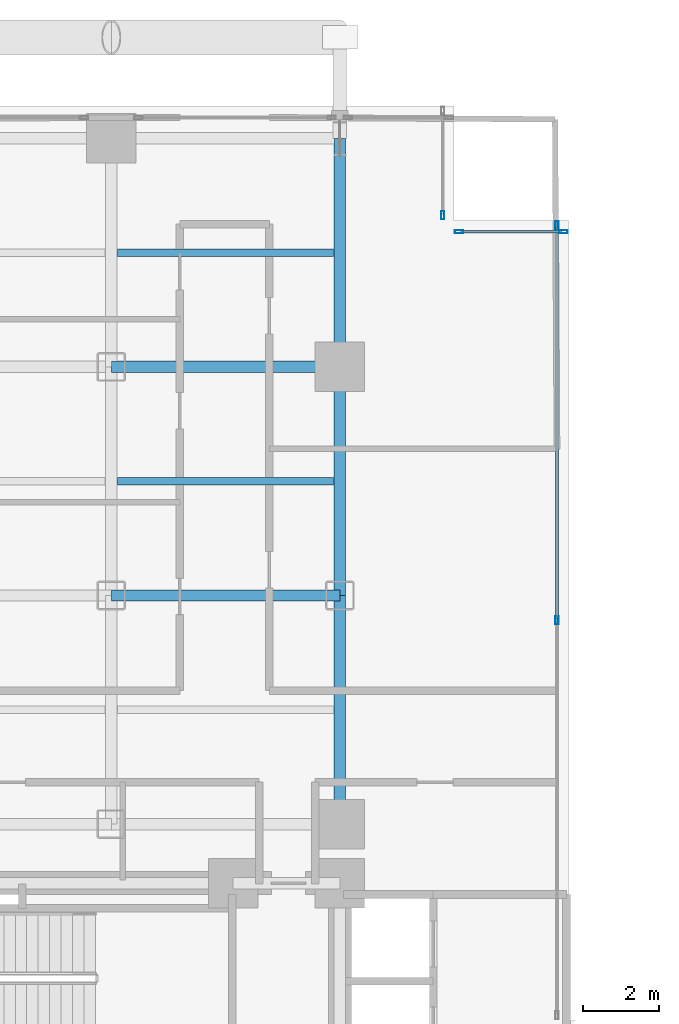
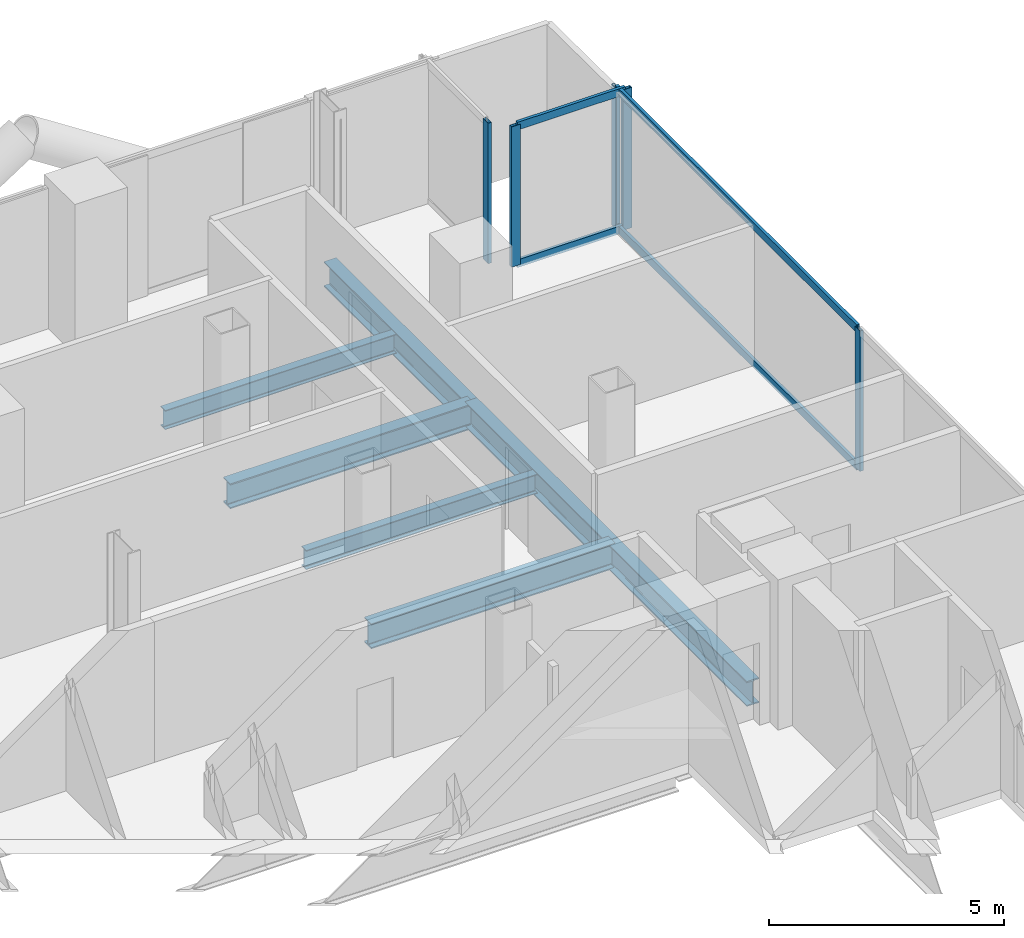
# One storey, part 15 of 27: 9 members, 7 beams, 3 elements without a shape of their own.
"""IFC4 building model written with IfcOpenShell, lengths in metres."""

from ifc_helpers import new_model, si_unit, direction, frame, origin, origin_2d, place, context, subcontext, project, spatial, hollow_rectangle, i_section, extrude, material, layer, layer_set, material_profile, profile_set, type_object, element, aggregate, save


model = new_model("IFC4")

# Units and contexts
model_context = context("Model", 3, precision=1e-05, world=origin(), true_north=direction((0.0, 1.0)))
body_context = subcontext(model_context, "Body", "Model", "MODEL_VIEW")
ifc_project = project(units=[si_unit("LENGTHUNIT", "METRE"), si_unit("AREAUNIT", "SQUARE_METRE"), si_unit("VOLUMEUNIT", "CUBIC_METRE"), si_unit("PLANEANGLEUNIT", "RADIAN"), si_unit("MASSUNIT", "GRAM", prefix="KILO"), si_unit("THERMODYNAMICTEMPERATUREUNIT", "KELVIN"), si_unit("POWERUNIT", "WATT")], contexts=[model_context])

# Site, building, storey
site_placement = place(None, origin())
site = spatial("IfcSite", under=ifc_project, at=site_placement, CompositionType="ELEMENT")
building_placement = place(site_placement, origin())
building = spatial("IfcBuilding", under=site, at=building_placement, Name="Svarakhadi Broadcast Tower", CompositionType="ELEMENT")
storey_placement = place(building_placement, frame((0.0, 0.0, 55.800048828125)))
storey = spatial("IfcBuildingStorey", under=building, at=storey_placement, Name="L12", CompositionType="ELEMENT", Elevation=55.800048828125)

# Beams
ifc_material_1 = material(Name="Steel S355J2 (IS 2062 E350C)", Category="steel")
ifc_material_profile_1 = material_profile(ifc_material_1, i_section(OverallWidth=0.199951171875, OverallDepth=0.5, WebThickness=0.01025390625, FlangeThickness=0.01611328125, FilletRadius=0.02099609375, at=origin_2d()), Name="NPB 500x200x91")
ifc_profile_set_1 = profile_set([ifc_material_profile_1], Name="Steel S355J2 (IS 2062 E350C)")
beam_type_1 = type_object("IfcBeamType", Name="Beam_NPB500", PredefinedType="BEAM", material=ifc_profile_set_1)
for number, where, z_axis, x_axis, name in (
    (1, (12.159912109375, 38.14990234375, -0.5), (1.0, 0.0, 0.0), (0.0, 1.0, 0.0), "L12 Secondary Composite Beam SB017"),
    (2, (12.159912109375, 44.14990234375, -0.5), (1.0, 0.0, 0.0), (0.0, 1.0, 0.0), "L12 Secondary Composite Beam SB018"),
):
    element("IfcBeam", number, at=place(storey_placement, frame(where, z_axis=z_axis, x_axis=x_axis)), inside=storey, type_object=beam_type_1, Name=name, PredefinedType="BEAM", context=body_context, shape_type="SweptSolid", body=[
        extrude(i_section(OverallWidth=0.199951171875, OverallDepth=0.5, WebThickness=0.01025390625, FlangeThickness=0.01611328125, FilletRadius=0.02099609375, at=origin_2d()), origin(), (0.0, 0.0, 1.0), 5.68017578125),
    ])

# Curtain wall, member
ifc_material_2 = material(Name="Anodised Bronze Aluminium AA 6063-T6", Category="aluminium")
ifc_layer = layer(ifc_material_2, 0.219970703125)
ifc_layer_set = layer_set([ifc_layer], Name="Anodised Bronze Aluminium AA 6063-T6")
curtain_wall_type = type_object("IfcCurtainWallType", Name="CW_Sys_02", PredefinedType="NOTDEFINED", material=ifc_layer_set)
curtain_wall_1_placement = place(storey_placement, origin())
curtain_wall_1 = element("IfcCurtainWall", 3, at=curtain_wall_1_placement, inside=storey, type_object=curtain_wall_type, Name="L12 Unitised Facade Curtain Wall 07", PredefinedType="NOTDEFINED")
ifc_material_profile_2 = material_profile(ifc_material_2, hollow_rectangle(XDim=0.0849609375, YDim=0.219970703125, WallThickness=0.006103515625, at=origin_2d()), Name="ALU MULLION 220x85x6")
ifc_profile_set_2 = profile_set([ifc_material_profile_2], Name="Anodised Bronze Aluminium AA 6063-T6")
member_type_1 = type_object("IfcMemberType", Name="CW_Sys_02_Mul", PredefinedType="MULLION", material=ifc_profile_set_2)
member_1_placement = place(storey_placement, frame((20.699951171875, 45.132568359375, 0.0), z_axis=(0.0, 0.0, 1.0), x_axis=(1.0, 0.0, 0.0)))
member_1 = element("IfcMember", 4, at=member_1_placement, type_object=member_type_1, Name="CW-02 mullion 2", PredefinedType="MULLION", context=body_context, shape_type="SweptSolid", body=[
    extrude(hollow_rectangle(XDim=0.0849609375, YDim=0.219970703125, WallThickness=0.006103515625, at=origin_2d()), origin(), (0.0, 0.0, 1.0), 3.64990234375),
])
aggregate(curtain_wall_1, [member_1])

# Curtain wall, members
curtain_wall_2_placement = place(storey_placement, origin())
curtain_wall_2 = element("IfcCurtainWall", 5, at=curtain_wall_2_placement, inside=storey, type_object=curtain_wall_type, Name="L12 Unitised Facade Curtain Wall 08", PredefinedType="NOTDEFINED")
member_2_placement = place(storey_placement, frame((21.132568359375, 44.699951171875, 0.0), z_axis=(0.0, 0.0, 1.0), x_axis=(0.0, 1.0, 0.0)))
member_2 = element("IfcMember", 6, at=member_2_placement, type_object=member_type_1, Name="CW-02 mullion 1", PredefinedType="MULLION", context=body_context, shape_type="SweptSolid", body=[
    extrude(hollow_rectangle(XDim=0.0849609375, YDim=0.219970703125, WallThickness=0.006103515625, at=origin_2d()), origin(), (0.0, 0.0, 1.0), 3.64990234375),
])
member_3_placement = place(storey_placement, frame((23.867431640625, 44.699951171875, 0.0), z_axis=(0.0, 0.0, 1.0), x_axis=(0.0, 1.0, 0.0)))
member_3 = element("IfcMember", 7, at=member_3_placement, type_object=member_type_1, Name="CW-02 mullion 2", PredefinedType="MULLION", context=body_context, shape_type="SweptSolid", body=[
    extrude(hollow_rectangle(XDim=0.0849609375, YDim=0.219970703125, WallThickness=0.006103515625, at=origin_2d()), origin(), (0.0, 0.0, 1.0), 3.64990234375),
])

curtain_wall_3_placement = place(storey_placement, origin())
curtain_wall_3 = element("IfcCurtainWall", 8, at=curtain_wall_3_placement, inside=storey, type_object=curtain_wall_type, Name="L12 Unitised Facade Curtain Wall 09", PredefinedType="NOTDEFINED")
member_4_placement = place(storey_placement, frame((23.699951171875, 44.867431640625, 0.0), z_axis=(0.0, 0.0, 1.0), x_axis=(1.0, 0.0, 0.0)))
member_4 = element("IfcMember", 9, at=member_4_placement, type_object=member_type_1, Name="CW-02 mullion 1", PredefinedType="MULLION", context=body_context, shape_type="SweptSolid", body=[
    extrude(hollow_rectangle(XDim=0.0849609375, YDim=0.219970703125, WallThickness=0.006103515625, at=origin_2d()), origin(), (0.0, 0.0, 1.0), 3.64990234375),
])
member_5_placement = place(storey_placement, frame((23.699951171875, 34.5, 0.0), z_axis=(0.0, 0.0, 1.0), x_axis=(1.0, 0.0, 0.0)))
member_5 = element("IfcMember", 10, at=member_5_placement, type_object=member_type_1, Name="CW-02 mullion 2", PredefinedType="MULLION", context=body_context, shape_type="SweptSolid", body=[
    extrude(hollow_rectangle(XDim=0.0849609375, YDim=0.219970703125, WallThickness=0.006103515625, at=origin_2d()), origin(), (0.0, 0.0, 1.0), 3.64990234375),
])

# Member
ifc_material_profile_3 = material_profile(ifc_material_2, hollow_rectangle(XDim=0.074951171875, YDim=0.199951171875, WallThickness=0.0048828125, at=origin_2d()), Name="ALU TRANSOM 200x75x5")
ifc_profile_set_3 = profile_set([ifc_material_profile_3], Name="Anodised Bronze Aluminium AA 6063-T6")
member_type_2 = type_object("IfcMemberType", Name="CW_Sys_02_Trn", PredefinedType="USERDEFINED", material=ifc_profile_set_3)
member_6_placement = place(storey_placement, frame((21.175048828125, 44.699951171875, 0.037353515625), z_axis=(1.0, 0.0, 0.0), x_axis=(0.0, 1.0, 0.0)))
member_6 = element("IfcMember", 11, at=member_6_placement, type_object=member_type_2, Name="CW-02 transom 1.1", ObjectType="TRANSOM", PredefinedType="USERDEFINED", context=body_context, shape_type="SweptSolid", body=[
    extrude(hollow_rectangle(XDim=0.074951171875, YDim=0.199951171875, WallThickness=0.0048828125, at=origin_2d()), origin(), (0.0, 0.0, 1.0), 2.64990234375),
])

member_7_placement = place(storey_placement, frame((21.175048828125, 44.699951171875, 3.612548828125), z_axis=(1.0, 0.0, 0.0), x_axis=(0.0, 1.0, 0.0)))
member_7 = element("IfcMember", 12, at=member_7_placement, type_object=member_type_2, Name="CW-02 transom 1.2", ObjectType="TRANSOM", PredefinedType="USERDEFINED", context=body_context, shape_type="SweptSolid", body=[
    extrude(hollow_rectangle(XDim=0.074951171875, YDim=0.199951171875, WallThickness=0.0048828125, at=origin_2d()), origin(), (0.0, 0.0, 1.0), 2.64990234375),
])

aggregate(curtain_wall_2, [member_2, member_3, member_6, member_7])

member_8_placement = place(storey_placement, frame((23.699951171875, 44.824951171875, 0.037353515625), z_axis=(0.0, -1.0, 0.0), x_axis=(1.0, 0.0, 0.0)))
member_8 = element("IfcMember", 13, at=member_8_placement, type_object=member_type_2, Name="CW-02 transom 1.1", ObjectType="TRANSOM", PredefinedType="USERDEFINED", context=body_context, shape_type="SweptSolid", body=[
    extrude(hollow_rectangle(XDim=0.074951171875, YDim=0.199951171875, WallThickness=0.0048828125, at=origin_2d()), origin(), (0.0, 0.0, 1.0), 10.282470703125),
])

member_9_placement = place(storey_placement, frame((23.699951171875, 44.824951171875, 3.612548828125), z_axis=(0.0, -1.0, 0.0), x_axis=(1.0, 0.0, 0.0)))
member_9 = element("IfcMember", 14, at=member_9_placement, type_object=member_type_2, Name="CW-02 transom 1.2", ObjectType="TRANSOM", PredefinedType="USERDEFINED", context=body_context, shape_type="SweptSolid", body=[
    extrude(hollow_rectangle(XDim=0.074951171875, YDim=0.199951171875, WallThickness=0.0048828125, at=origin_2d()), origin(), (0.0, 0.0, 1.0), 10.282470703125),
])

aggregate(curtain_wall_3, [member_4, member_5, member_8, member_9])

# Beams
ifc_material_profile_4 = material_profile(ifc_material_1, i_section(OverallWidth=0.300048828125, OverallDepth=0.64990234375, WebThickness=0.01611328125, FlangeThickness=0.031005859375, FilletRadius=0.027099609375, at=origin_2d()), Name="WPB 650x300x225")
ifc_profile_set_4 = profile_set([ifc_material_profile_4], Name="Steel S355J2 (IS 2062 E350C)")
beam_type_2 = type_object("IfcBeamType", Name="Girder_WPB650", PredefinedType="USERDEFINED", material=ifc_profile_set_4)
for number, where, z_axis, x_axis, name in (
    (15, (12.0, 35.14990234375, -0.574951171875), (1.0, 0.0, 0.0), (0.0, 1.0, 0.0), "L12 Primary E-W Girder G039"),
    (16, (12.0, 41.14990234375, -0.574951171875), (1.0, 0.0, 0.0), (0.0, 1.0, 0.0), "L12 Primary E-W Girder G042"),
    (17, (18.0, 29.14990234375, -0.574951171875), (0.0, 1.0, 0.0), (-1.0, 0.0, 0.0), "L12 Primary N-S Girder G068"),
    (18, (18.0, 35.14990234375, -0.574951171875), (0.0, 1.0, 0.0), (-1.0, 0.0, 0.0), "L12 Primary N-S Girder G069"),
    (19, (18.0, 41.14990234375, -0.574951171875), (0.0, 1.0, 0.0), (-1.0, 0.0, 0.0), "L12 Primary N-S Girder G070"),
):
    element("IfcBeam", number, at=place(storey_placement, frame(where, z_axis=z_axis, x_axis=x_axis)), inside=storey, type_object=beam_type_2, Name=name, ObjectType="GIRDER", PredefinedType="USERDEFINED", context=body_context, shape_type="SweptSolid", body=[
        extrude(i_section(OverallWidth=0.300048828125, OverallDepth=0.64990234375, WebThickness=0.01611328125, FlangeThickness=0.031005859375, FilletRadius=0.027099609375, at=origin_2d()), origin(), (0.0, 0.0, 1.0), 6.0),
    ])

save(model, "model.ifc")
